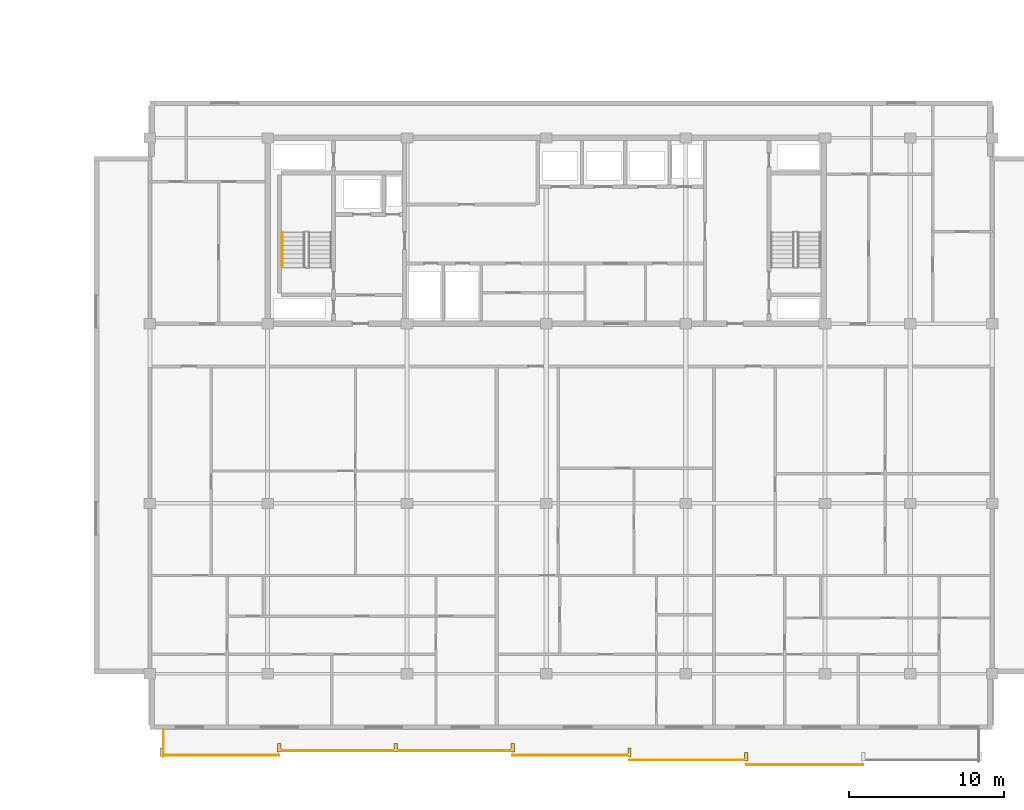
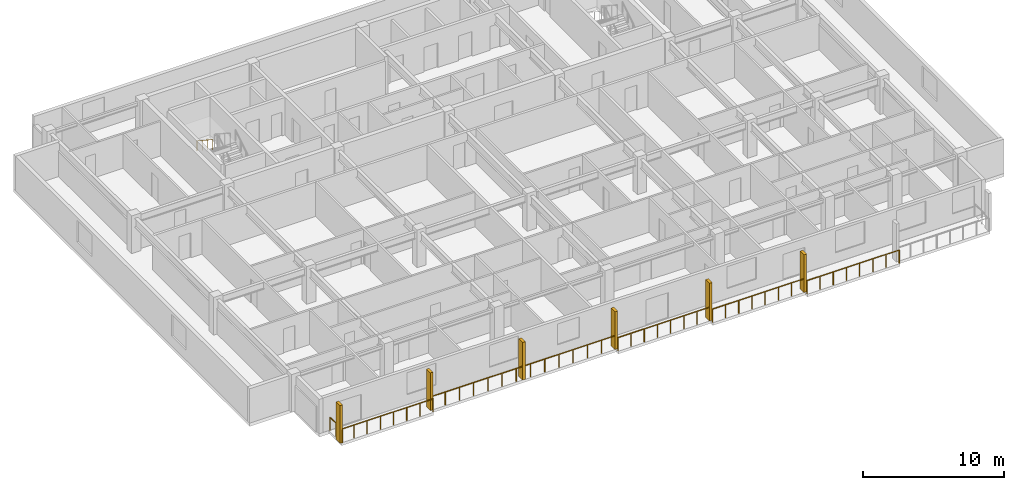
# One storey, part 18 of 22: 7 railings, 6 shading devices.
"""IFC4 building model written with IfcOpenShell, lengths in metres."""

from ifc_helpers import new_model, si_unit, direction, frame, origin, origin_2d, place, context, subcontext, project, spatial, rectangle, circle, extrude, material, type_object, element, save


model = new_model("IFC4")

# Units and contexts
model_context = context("Model", 3, precision=1e-05, world=origin(), true_north=direction((0.0, 1.0)))
body_context = subcontext(model_context, "Body", "Model", "MODEL_VIEW")
ifc_project = project(units=[si_unit("LENGTHUNIT", "METRE"), si_unit("AREAUNIT", "SQUARE_METRE"), si_unit("VOLUMEUNIT", "CUBIC_METRE"), si_unit("PLANEANGLEUNIT", "RADIAN"), si_unit("MASSUNIT", "GRAM", prefix="KILO")], contexts=[model_context])

# Site, building, storey
site_placement = place(None, origin())
site = spatial("IfcSite", under=ifc_project, at=site_placement, CompositionType="ELEMENT")
building_placement = place(site_placement, origin())
building = spatial("IfcBuilding", under=site, at=building_placement, Name="Korimba Cascade Residences", CompositionType="ELEMENT")
storey_placement = place(building_placement, frame((0.0, 0.0, 191.35009765625)))
storey = spatial("IfcBuildingStorey", under=building, at=storey_placement, Name="L55", CompositionType="ELEMENT", Elevation=191.35009765625)

# Railings
ifc_material_1 = material(Name="Laminated Glass and Bronze Balustrade", Category="glass")
railing_type_1 = type_object("IfcRailingType", Name="RLG-LOG-1150", PredefinedType="BALUSTRADE", material=ifc_material_1)
railing_1_placement = place(storey_placement, frame((75.300048828125, -9.469970703125, 0.0)))
element("IfcRailing", 1, at=railing_1_placement, inside=storey, type_object=railing_type_1, Name="L55 Perimeter Guardrail RLG-L55-T2-LOG-01", PredefinedType="BALUSTRADE", context=body_context, shape_type="SweptSolid", body=[
    extrude(circle(Radius=0.02392578125, at=origin_2d()), frame((0.0, 0.0, 1.1259765625), z_axis=(1.0, 0.0, 0.0), x_axis=(0.0, 1.0, 0.0)), (0.0, 0.0, 1.0), 7.54296875),
    extrude(circle(Radius=0.02099609375, at=origin_2d()), origin(), (0.0, 0.0, 1.0), 1.101806640625),
    extrude(circle(Radius=0.02099609375, at=origin_2d()), frame((1.07763671875, 0.0, 0.0)), (0.0, 0.0, 1.0), 1.101806640625),
    extrude(circle(Radius=0.02099609375, at=origin_2d()), frame((2.155029296875, 0.0, 0.0)), (0.0, 0.0, 1.0), 1.101806640625),
    extrude(circle(Radius=0.02099609375, at=origin_2d()), frame((3.232666015625, 0.0, 0.0)), (0.0, 0.0, 1.0), 1.101806640625),
    extrude(circle(Radius=0.02099609375, at=origin_2d()), frame((4.310302734375, 0.0, 0.0)), (0.0, 0.0, 1.0), 1.101806640625),
    extrude(circle(Radius=0.02099609375, at=origin_2d()), frame((5.387939453125, 0.0, 0.0)), (0.0, 0.0, 1.0), 1.101806640625),
    extrude(circle(Radius=0.02099609375, at=origin_2d()), frame((6.46533203125, 0.0, 0.0)), (0.0, 0.0, 1.0), 1.101806640625),
    extrude(circle(Radius=0.02099609375, at=origin_2d()), frame((7.54296875, 0.0, 0.0)), (0.0, 0.0, 1.0), 1.101806640625),
])
railing_2_placement = place(storey_placement, frame((82.843017578125, -9.169921875, 0.0)))
element("IfcRailing", 2, at=railing_2_placement, inside=storey, type_object=railing_type_1, Name="L55 Perimeter Guardrail RLG-L55-T2-LOG-02", PredefinedType="BALUSTRADE", context=body_context, shape_type="SweptSolid", body=[
    extrude(circle(Radius=0.02392578125, at=origin_2d()), frame((0.0, 0.0, 1.1259765625), z_axis=(1.0, 0.0, 0.0), x_axis=(0.0, 1.0, 0.0)), (0.0, 0.0, 1.0), 15.085693359375),
    extrude(circle(Radius=0.02099609375, at=origin_2d()), origin(), (0.0, 0.0, 1.0), 1.101806640625),
    extrude(circle(Radius=0.02099609375, at=origin_2d()), frame((1.160400390625, 0.0, 0.0)), (0.0, 0.0, 1.0), 1.101806640625),
    extrude(circle(Radius=0.02099609375, at=origin_2d()), frame((2.32080078125, 0.0, 0.0)), (0.0, 0.0, 1.0), 1.101806640625),
    extrude(circle(Radius=0.02099609375, at=origin_2d()), frame((3.481201171875, 0.0, 0.0)), (0.0, 0.0, 1.0), 1.101806640625),
    extrude(circle(Radius=0.02099609375, at=origin_2d()), frame((4.641845703125, 0.0, 0.0)), (0.0, 0.0, 1.0), 1.101806640625),
    extrude(circle(Radius=0.02099609375, at=origin_2d()), frame((5.80224609375, 0.0, 0.0)), (0.0, 0.0, 1.0), 1.101806640625),
    extrude(circle(Radius=0.02099609375, at=origin_2d()), frame((6.962646484375, 0.0, 0.0)), (0.0, 0.0, 1.0), 1.101806640625),
    extrude(circle(Radius=0.02099609375, at=origin_2d()), frame((8.123046875, 0.0, 0.0)), (0.0, 0.0, 1.0), 1.101806640625),
    extrude(circle(Radius=0.02099609375, at=origin_2d()), frame((9.283447265625, 0.0, 0.0)), (0.0, 0.0, 1.0), 1.101806640625),
    extrude(circle(Radius=0.02099609375, at=origin_2d()), frame((10.44384765625, 0.0, 0.0)), (0.0, 0.0, 1.0), 1.101806640625),
    extrude(circle(Radius=0.02099609375, at=origin_2d()), frame((11.6044921875, 0.0, 0.0)), (0.0, 0.0, 1.0), 1.101806640625),
    extrude(circle(Radius=0.02099609375, at=origin_2d()), frame((12.764892578125, 0.0, 0.0)), (0.0, 0.0, 1.0), 1.101806640625),
    extrude(circle(Radius=0.02099609375, at=origin_2d()), frame((13.92529296875, 0.0, 0.0)), (0.0, 0.0, 1.0), 1.101806640625),
    extrude(circle(Radius=0.02099609375, at=origin_2d()), frame((15.085693359375, 0.0, 0.0)), (0.0, 0.0, 1.0), 1.101806640625),
])
railing_3_placement = place(storey_placement, frame((97.9287109375, -9.469970703125, 0.0)))
element("IfcRailing", 3, at=railing_3_placement, inside=storey, type_object=railing_type_1, Name="L55 Perimeter Guardrail RLG-L55-T2-LOG-03", PredefinedType="BALUSTRADE", context=body_context, shape_type="SweptSolid", body=[
    extrude(circle(Radius=0.02392578125, at=origin_2d()), frame((0.0, 0.0, 1.1259765625), z_axis=(1.0, 0.0, 0.0), x_axis=(0.0, 1.0, 0.0)), (0.0, 0.0, 1.0), 7.542724609375),
    extrude(circle(Radius=0.02099609375, at=origin_2d()), origin(), (0.0, 0.0, 1.0), 1.101806640625),
    extrude(circle(Radius=0.02099609375, at=origin_2d()), frame((1.07763671875, 0.0, 0.0)), (0.0, 0.0, 1.0), 1.101806640625),
    extrude(circle(Radius=0.02099609375, at=origin_2d()), frame((2.155029296875, 0.0, 0.0)), (0.0, 0.0, 1.0), 1.101806640625),
    extrude(circle(Radius=0.02099609375, at=origin_2d()), frame((3.232666015625, 0.0, 0.0)), (0.0, 0.0, 1.0), 1.101806640625),
    extrude(circle(Radius=0.02099609375, at=origin_2d()), frame((4.31005859375, 0.0, 0.0)), (0.0, 0.0, 1.0), 1.101806640625),
    extrude(circle(Radius=0.02099609375, at=origin_2d()), frame((5.3876953125, 0.0, 0.0)), (0.0, 0.0, 1.0), 1.101806640625),
    extrude(circle(Radius=0.02099609375, at=origin_2d()), frame((6.465087890625, 0.0, 0.0)), (0.0, 0.0, 1.0), 1.101806640625),
    extrude(circle(Radius=0.02099609375, at=origin_2d()), frame((7.542724609375, 0.0, 0.0)), (0.0, 0.0, 1.0), 1.101806640625),
])
railing_4_placement = place(storey_placement, frame((105.471435546875, -9.77001953125, 0.0)))
element("IfcRailing", 4, at=railing_4_placement, inside=storey, type_object=railing_type_1, Name="L55 Perimeter Guardrail RLG-L55-T2-LOG-04", PredefinedType="BALUSTRADE", context=body_context, shape_type="SweptSolid", body=[
    extrude(circle(Radius=0.02392578125, at=origin_2d()), frame((0.0, 0.0, 1.1259765625), z_axis=(1.0, 0.0, 0.0), x_axis=(0.0, 1.0, 0.0)), (0.0, 0.0, 1.0), 7.54296875),
    extrude(circle(Radius=0.02099609375, at=origin_2d()), origin(), (0.0, 0.0, 1.0), 1.101806640625),
    extrude(circle(Radius=0.02099609375, at=origin_2d()), frame((1.07763671875, 0.0, 0.0)), (0.0, 0.0, 1.0), 1.101806640625),
    extrude(circle(Radius=0.02099609375, at=origin_2d()), frame((2.155029296875, 0.0, 0.0)), (0.0, 0.0, 1.0), 1.101806640625),
    extrude(circle(Radius=0.02099609375, at=origin_2d()), frame((3.232666015625, 0.0, 0.0)), (0.0, 0.0, 1.0), 1.101806640625),
    extrude(circle(Radius=0.02099609375, at=origin_2d()), frame((4.310302734375, 0.0, 0.0)), (0.0, 0.0, 1.0), 1.101806640625),
    extrude(circle(Radius=0.02099609375, at=origin_2d()), frame((5.387939453125, 0.0, 0.0)), (0.0, 0.0, 1.0), 1.101806640625),
    extrude(circle(Radius=0.02099609375, at=origin_2d()), frame((6.46533203125, 0.0, 0.0)), (0.0, 0.0, 1.0), 1.101806640625),
    extrude(circle(Radius=0.02099609375, at=origin_2d()), frame((7.54296875, 0.0, 0.0)), (0.0, 0.0, 1.0), 1.101806640625),
])
railing_5_placement = place(storey_placement, frame((113.014404296875, -10.070068359375, 0.0)))
element("IfcRailing", 5, at=railing_5_placement, inside=storey, type_object=railing_type_1, Name="L55 Perimeter Guardrail RLG-L55-T2-LOG-05", PredefinedType="BALUSTRADE", context=body_context, shape_type="SweptSolid", body=[
    extrude(circle(Radius=0.02392578125, at=origin_2d()), frame((0.0, 0.0, 1.1259765625), z_axis=(1.0, 0.0, 0.0), x_axis=(0.0, 1.0, 0.0)), (0.0, 0.0, 1.0), 7.542724609375),
    extrude(circle(Radius=0.02099609375, at=origin_2d()), origin(), (0.0, 0.0, 1.0), 1.101806640625),
    extrude(circle(Radius=0.02099609375, at=origin_2d()), frame((1.07763671875, 0.0, 0.0)), (0.0, 0.0, 1.0), 1.101806640625),
    extrude(circle(Radius=0.02099609375, at=origin_2d()), frame((2.155029296875, 0.0, 0.0)), (0.0, 0.0, 1.0), 1.101806640625),
    extrude(circle(Radius=0.02099609375, at=origin_2d()), frame((3.232666015625, 0.0, 0.0)), (0.0, 0.0, 1.0), 1.101806640625),
    extrude(circle(Radius=0.02099609375, at=origin_2d()), frame((4.31005859375, 0.0, 0.0)), (0.0, 0.0, 1.0), 1.101806640625),
    extrude(circle(Radius=0.02099609375, at=origin_2d()), frame((5.3876953125, 0.0, 0.0)), (0.0, 0.0, 1.0), 1.101806640625),
    extrude(circle(Radius=0.02099609375, at=origin_2d()), frame((6.465087890625, 0.0, 0.0)), (0.0, 0.0, 1.0), 1.101806640625),
    extrude(circle(Radius=0.02099609375, at=origin_2d()), frame((7.542724609375, 0.0, 0.0)), (0.0, 0.0, 1.0), 1.101806640625),
])
railing_6_placement = place(storey_placement, frame((75.3798828125, -7.800048828125, 0.0)))
element("IfcRailing", 6, at=railing_6_placement, inside=storey, type_object=railing_type_1, Name="L55 Perimeter Guardrail RLG-L55-T2-LOG-08", PredefinedType="BALUSTRADE", context=body_context, shape_type="SweptSolid", body=[
    extrude(circle(Radius=0.02392578125, at=origin_2d()), frame((0.0, 0.0, 1.1259765625), z_axis=(0.0, -1.0, 0.0), x_axis=(1.0, 0.0, 0.0)), (0.0, 0.0, 1.0), 1.75),
    extrude(circle(Radius=0.02099609375, at=origin_2d()), origin(), (0.0, 0.0, 1.0), 1.101806640625),
    extrude(circle(Radius=0.02099609375, at=origin_2d()), frame((0.0, -0.875, 0.0)), (0.0, 0.0, 1.0), 1.101806640625),
    extrude(circle(Radius=0.02099609375, at=origin_2d()), frame((0.0, -1.75, 0.0)), (0.0, 0.0, 1.0), 1.101806640625),
])
ifc_material_2 = material(Name="Brushed Stainless Steel Handrail", Category="steel")
railing_type_2 = type_object("IfcRailingType", Name="RLG-ST-HR900", PredefinedType="HANDRAIL", material=ifc_material_2)
railing_7_placement = place(storey_placement, frame((83.050048828125, 24.2900390625, 1.98974609375)))
element("IfcRailing", 7, at=railing_7_placement, inside=storey, type_object=railing_type_2, Name="L55 ST-E1 stair handrail 2", PredefinedType="HANDRAIL", context=body_context, shape_type="SweptSolid", body=[
    extrude(circle(Radius=0.02392578125, at=origin_2d()), frame((0.0, 0.0, 0.8759765625), z_axis=(0.0, -0.840394893359, 0.541974559565), x_axis=(1.0, 0.0, 0.0)), (0.0, 0.0, 1.0), 2.665283203125),
    extrude(circle(Radius=0.02099609375, at=origin_2d()), origin(), (0.0, 0.0, 1.0), 0.851806640625),
    extrude(circle(Radius=0.02099609375, at=origin_2d()), frame((0.0, -0.74658203125, 0.4814453125)), (0.0, 0.0, 1.0), 0.851806640625),
    extrude(circle(Radius=0.02099609375, at=origin_2d()), frame((0.0, -1.493408203125, 0.963134765625)), (0.0, 0.0, 1.0), 0.851806640625),
    extrude(circle(Radius=0.02099609375, at=origin_2d()), frame((0.0, -2.239990234375, 1.444580078125)), (0.0, 0.0, 1.0), 0.851806640625),
])

# Shading devices
ifc_material_3 = material(Name="Honed Sandstone Precast Fin", Category="masonry")
shading_device_type = type_object("IfcShadingDeviceType", Name="SHD-FIN-550", PredefinedType="USERDEFINED", material=ifc_material_3)
for number, where, z_axis, x_axis, name in (
    (8, (75.300048828125, -9.27490234375, 0.0), (0.0, 0.0, 1.0), (1.0, 0.0, 0.0), "L55 T2 Warm-Stone Loggia Fin 1"),
    (9, (82.843017578125, -8.97509765625, 0.0), (0.0, 0.0, 1.0), (1.0, 0.0, 0.0), "L55 T2 Warm-Stone Loggia Fin 2"),
    (10, (90.3857421875, -8.97509765625, 0.0), (0.0, 0.0, 1.0), (1.0, 0.0, 0.0), "L55 T2 Warm-Stone Loggia Fin 3"),
    (11, (97.9287109375, -8.97509765625, 0.0), (0.0, 0.0, 1.0), (1.0, 0.0, 0.0), "L55 T2 Warm-Stone Loggia Fin 4"),
    (12, (105.471435546875, -9.27490234375, 0.0), (0.0, 0.0, 1.0), (1.0, 0.0, 0.0), "L55 T2 Warm-Stone Loggia Fin 5"),
    (13, (113.014404296875, -9.574951171875, 0.0), (0.0, 0.0, 1.0), (1.0, 0.0, 0.0), "L55 T2 Warm-Stone Loggia Fin 6"),
):
    element("IfcShadingDevice", number, at=place(storey_placement, frame(where, z_axis=z_axis, x_axis=x_axis)), inside=storey, type_object=shading_device_type, Name=name, ObjectType="FIN", PredefinedType="USERDEFINED", context=body_context, shape_type="SweptSolid", body=[
        extrude(rectangle(XDim=0.219970703125, YDim=0.550048828125, at=origin_2d()), origin(), (0.0, 0.0, 1.0), 3.25),
    ])

save(model, "model.ifc")
